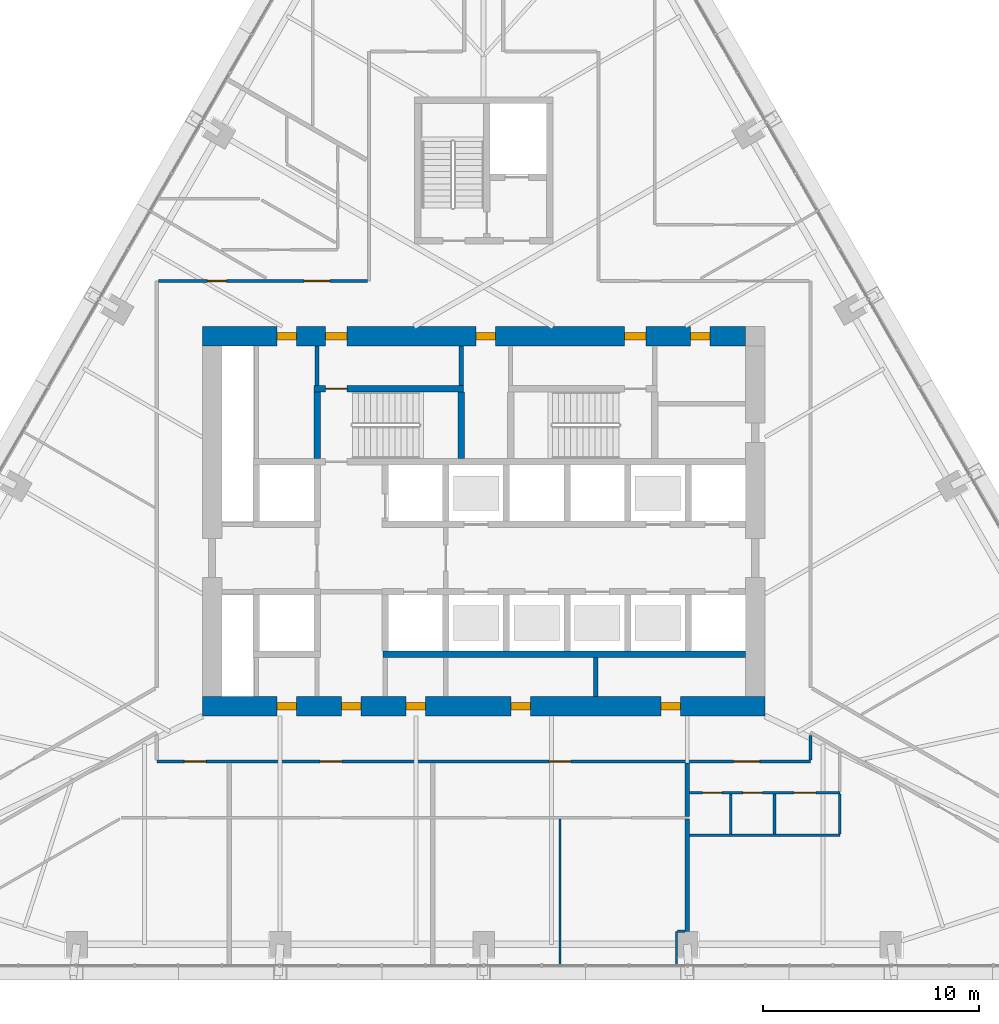
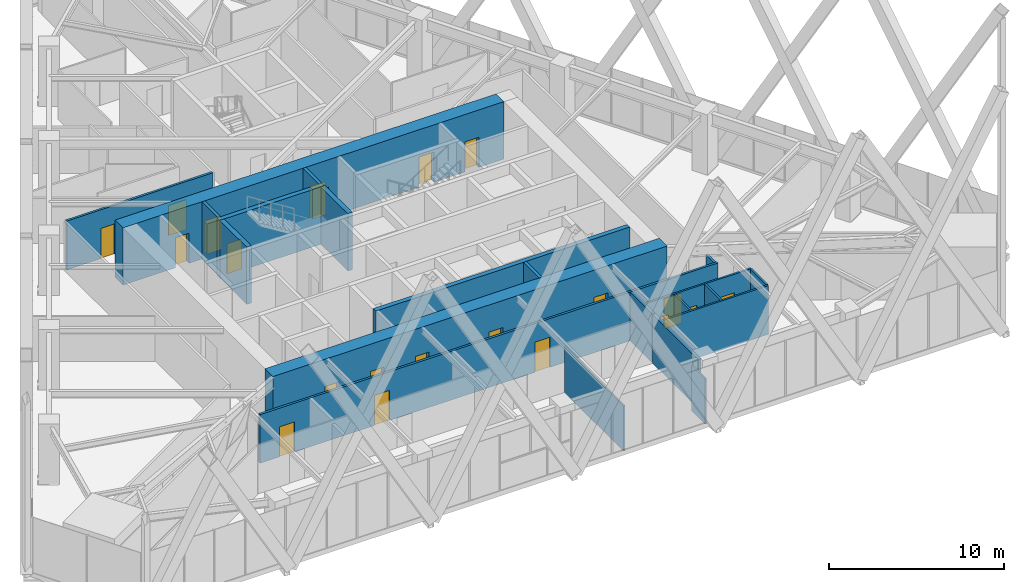
# One storey, part 16 of 21: 22 walls, 20 doors, 20 openings.
"""IFC4 building model written with IfcOpenShell, lengths in metres."""

from ifc_helpers import new_model, si_unit, direction, frame, frame_2d, origin, place, context, subcontext, project, spatial, rectangle, extrude, material, layer, layer_set, type_object, element, fill, save


model = new_model("IFC4")

# Units and contexts
model_context = context("Model", 3, precision=1e-05, world=origin(), true_north=direction((0.0, 1.0)))
body_context = subcontext(model_context, "Body", "Model", "MODEL_VIEW")
ifc_project = project(units=[si_unit("LENGTHUNIT", "METRE"), si_unit("AREAUNIT", "SQUARE_METRE"), si_unit("VOLUMEUNIT", "CUBIC_METRE"), si_unit("PLANEANGLEUNIT", "RADIAN"), si_unit("MASSUNIT", "GRAM", prefix="KILO")], contexts=[model_context])

# Site, building, storey
site_placement = place(None, origin())
site = spatial("IfcSite", under=ifc_project, at=site_placement, CompositionType="ELEMENT")
building_placement = place(site_placement, origin())
building = spatial("IfcBuilding", under=site, at=building_placement, Name="Firuza Gate Tower and Library", CompositionType="ELEMENT")
storey_placement = place(building_placement, frame((0.0, 0.0, 90.39990234375)))
storey = spatial("IfcBuildingStorey", under=building, at=storey_placement, Name="L20", CompositionType="ELEMENT", Elevation=90.39990234375)

# Walls
ifc_material_1 = material(Name="Plasterboard on steel studs", Category="steel")
ifc_layer_1 = layer(ifc_material_1, 0.199951171875)
ifc_layer_set_1 = layer_set([ifc_layer_1], Name="Core partition 200 EI 120")
wall_type_1 = type_object("IfcWallType", Name="Core partition 200 EI 120", PredefinedType="PARTITIONING", material=ifc_layer_set_1)
wall_1_placement = place(storey_placement, frame((80.175048828125, 66.89990234375, 0.0), z_axis=(0.0, 0.0, 1.0), x_axis=(0.0, 1.0, 0.0)))
element("IfcWall", 1, at=wall_1_placement, inside=storey, type_object=wall_type_1, Name="Core partition L20 15", PredefinedType="PARTITIONING", context=body_context, shape_type="SweptSolid", body=[
    extrude(rectangle(XDim=1.800048828125, YDim=0.199951171875, at=frame_2d((0.89990234375, 0.0))), origin(), (0.0, 0.0, 1.0), 4.0),
])
ifc_material_2 = material(Name="Plasterboard on steel studs", Category="steel")
ifc_layer_2 = layer(ifc_material_2, 0.199951171875)
ifc_layer_set_2 = layer_set([ifc_layer_2], Name="Core partition 200 EI 60")
wall_type_2 = type_object("IfcWallType", Name="Core partition 200 EI 60", PredefinedType="PARTITIONING", material=ifc_layer_set_2)
for number, where, z_axis, x_axis, name in (
    (2, (67.300048828125, 81.280029296875, 0.0), (0.0, 0.0, 1.0), (0.0, 1.0, 0.0), "Core partition L20 9"),
    (3, (73.9599609375, 81.280029296875, 0.0), (0.0, 0.0, 1.0), (0.0, 1.0, 0.0), "Core partition L20 13"),
):
    element("IfcWall", number, at=place(storey_placement, frame(where, z_axis=z_axis, x_axis=x_axis)), inside=storey, type_object=wall_type_2, Name=name, PredefinedType="PARTITIONING", context=body_context, shape_type="SweptSolid", body=[
        extrude(rectangle(XDim=1.820068359375, YDim=0.199951171875, at=frame_2d((0.91015625, 0.0))), origin(), (0.0, 0.0, 1.0), 4.0),
    ])
ifc_material_3 = material(Name="Concrete C80/95", Category="concrete")
ifc_layer_3 = layer(ifc_material_3, 0.300048828125)
ifc_layer_set_3 = layer_set([ifc_layer_3], Name="Core wall 300 C80/95")
wall_type_3 = type_object("IfcWallType", Name="Core wall 300 C80/95", PredefinedType="SHEAR", material=ifc_layer_set_3)
wall_2_placement = place(storey_placement, frame((70.35009765625, 68.85009765625, 0.0), z_axis=(0.0, 0.0, 1.0), x_axis=(1.0, 0.0, 0.0)))
element("IfcWall", 4, at=wall_2_placement, inside=storey, type_object=wall_type_3, Name="Core wall L20 6", PredefinedType="SHEAR", context=body_context, shape_type="SweptSolid", body=[
    extrude(rectangle(XDim=16.75, YDim=0.300048828125, at=frame_2d((8.375, 0.0))), origin(), (0.0, 0.0, 1.0), 4.0),
])

# Wall, opening, door
wall_3_placement = place(storey_placement, frame((67.14990234375, 81.1298828125, 0.0), z_axis=(0.0, 0.0, 1.0), x_axis=(1.0, 0.0, 0.0)))
wall_3 = element("IfcWall", 5, at=wall_3_placement, inside=storey, type_object=wall_type_3, Name="Core wall L20 28", PredefinedType="SHEAR", context=body_context, shape_type="SweptSolid", body=[
    extrude(rectangle(XDim=6.91015625, YDim=0.300048828125, at=frame_2d((3.455078125, 0.0))), origin(), (0.0, 0.0, 1.0), 4.0),
])
opening_1_placement = place(wall_3_placement, frame((0.544921875, 0.0, 0.0)))
opening_1 = element("IfcOpeningElement", 6, at=opening_1_placement, cuts=wall_3, Name="Opening L20-K13", PredefinedType="OPENING", context=body_context, shape_type="SweptSolid", body=[
    extrude(rectangle(XDim=1.0, YDim=2.10009765625, at=frame_2d((0.5, 1.050048828125))), frame((0.0, 0.16015625, 0.0), z_axis=(0.0, -1.0, 0.0), x_axis=(1.0, 0.0, 0.0)), (0.0, 0.0, 1.0), 0.320068359375),
])
ifc_material_4 = material(Name="Steel", Category="steel")
door_type_1 = type_object("IfcDoorType", Name="Fire door 1000x2100 FD90", OperationType="NOTDEFINED", PredefinedType="DOOR", material=ifc_material_4)
door_1_placement = place(opening_1_placement, origin())
door_1 = element("IfcDoor", 7, at=door_1_placement, inside=storey, type_object=door_type_1, Name="Door L20-K13", OperationType="SINGLE_SWING_RIGHT", OverallHeight=2.10009765625, OverallWidth=1.0, PredefinedType="DOOR", context=body_context, shape_type="SweptSolid", body=[
    extrude(rectangle(XDim=1.0, YDim=2.10009765625, at=frame_2d((0.5, 1.050048828125))), frame((0.0, 0.02490234375, 0.0), z_axis=(0.0, -1.0, 0.0), x_axis=(1.0, 0.0, 0.0)), (0.0, 0.0, 1.0), 0.050048828125),
])
fill(opening_1, door_1)

# Walls
for number, where, z_axis, x_axis, name in (
    (8, (67.300048828125, 77.89990234375, 0.0), (0.0, 0.0, 1.0), (0.0, 1.0, 0.0), "Core wall L20 30"),
    (9, (73.9599609375, 77.89990234375, 0.0), (0.0, 0.0, 1.0), (0.0, 1.0, 0.0), "Core wall L20 31"),
):
    element("IfcWall", number, at=place(storey_placement, frame(where, z_axis=z_axis, x_axis=x_axis)), inside=storey, type_object=wall_type_3, Name=name, PredefinedType="SHEAR", context=body_context, shape_type="SweptSolid", body=[
        extrude(rectangle(XDim=3.080078125, YDim=0.300048828125, at=frame_2d((1.5400390625, 0.0))), origin(), (0.0, 0.0, 1.0), 4.0),
    ])

# Wall, openings, doors
ifc_material_5 = material(Name="Concrete C80/95", Category="concrete")
ifc_layer_4 = layer(ifc_material_5, 0.89990234375)
ifc_layer_set_4 = layer_set([ifc_layer_4], Name="Core wall 900 C80/95")
wall_type_4 = type_object("IfcWallType", Name="Core wall 900 C80/95", PredefinedType="SHEAR", material=ifc_layer_set_4)
wall_4_placement = place(storey_placement, frame((62.0, 66.449951171875, 0.0), z_axis=(0.0, 0.0, 1.0), x_axis=(1.0, 0.0, 0.0)))
wall_4 = element("IfcWall", 10, at=wall_4_placement, inside=storey, type_object=wall_type_4, Name="Core wall L20 1", PredefinedType="SHEAR", context=body_context, shape_type="SweptSolid", body=[
    extrude(rectangle(XDim=26.0, YDim=0.89990234375, at=frame_2d((13.0, 0.0))), origin(), (0.0, 0.0, 1.0), 4.0),
])
opening_2_placement = place(wall_4_placement, frame((3.449951171875, 0.0, 0.0)))
opening_2 = element("IfcOpeningElement", 11, at=opening_2_placement, cuts=wall_4, Name="Opening L20-K24", PredefinedType="OPENING", context=body_context, shape_type="SweptSolid", body=[
    extrude(rectangle(XDim=0.89990234375, YDim=2.10009765625, at=frame_2d((0.449951171875, 1.050048828125))), frame((0.0, 0.4599609375, 0.0), z_axis=(0.0, -1.0, 0.0), x_axis=(1.0, 0.0, 0.0)), (0.0, 0.0, 1.0), 0.919921875),
])
opening_3_placement = place(wall_4_placement, frame((6.425048828125, 0.0, 0.0)))
opening_3 = element("IfcOpeningElement", 12, at=opening_3_placement, cuts=wall_4, Name="Opening L20-K25", PredefinedType="OPENING", context=body_context, shape_type="SweptSolid", body=[
    extrude(rectangle(XDim=0.89990234375, YDim=2.10009765625, at=frame_2d((0.449951171875, 1.050048828125))), frame((0.0, 0.4599609375, 0.0), z_axis=(0.0, -1.0, 0.0), x_axis=(1.0, 0.0, 0.0)), (0.0, 0.0, 1.0), 0.919921875),
])
opening_4_placement = place(wall_4_placement, frame((9.39990234375, 0.0, 0.0)))
opening_4 = element("IfcOpeningElement", 13, at=opening_4_placement, cuts=wall_4, Name="Opening L20-K26", PredefinedType="OPENING", context=body_context, shape_type="SweptSolid", body=[
    extrude(rectangle(XDim=0.89990234375, YDim=2.10009765625, at=frame_2d((0.449951171875, 1.050048828125))), frame((0.0, 0.4599609375, 0.0), z_axis=(0.0, -1.0, 0.0), x_axis=(1.0, 0.0, 0.0)), (0.0, 0.0, 1.0), 0.919921875),
])
opening_5_placement = place(wall_4_placement, frame((14.262451171875, 0.0, 0.0)))
opening_5 = element("IfcOpeningElement", 14, at=opening_5_placement, cuts=wall_4, Name="Opening L20-K27", PredefinedType="OPENING", context=body_context, shape_type="SweptSolid", body=[
    extrude(rectangle(XDim=0.89990234375, YDim=2.10009765625, at=frame_2d((0.449951171875, 1.050048828125))), frame((0.0, 0.4599609375, 0.0), z_axis=(0.0, -1.0, 0.0), x_axis=(1.0, 0.0, 0.0)), (0.0, 0.0, 1.0), 0.919921875),
])
opening_6_placement = place(wall_4_placement, frame((21.1875, 0.0, 0.0)))
opening_6 = element("IfcOpeningElement", 15, at=opening_6_placement, cuts=wall_4, Name="Opening L20-K28", PredefinedType="OPENING", context=body_context, shape_type="SweptSolid", body=[
    extrude(rectangle(XDim=0.89990234375, YDim=2.10009765625, at=frame_2d((0.449951171875, 1.050048828125))), frame((0.0, 0.4599609375, 0.0), z_axis=(0.0, -1.0, 0.0), x_axis=(1.0, 0.0, 0.0)), (0.0, 0.0, 1.0), 0.919921875),
])
ifc_material_6 = material(Name="Steel", Category="steel")
door_type_2 = type_object("IfcDoorType", Name="Fire door 900x2100 FD30S", OperationType="NOTDEFINED", PredefinedType="DOOR", material=ifc_material_6)
door_2_placement = place(opening_2_placement, origin())
door_2 = element("IfcDoor", 16, at=door_2_placement, inside=storey, type_object=door_type_2, Name="Door L20-K24", OperationType="SINGLE_SWING_LEFT", OverallHeight=2.10009765625, OverallWidth=0.89990234375, PredefinedType="DOOR", context=body_context, shape_type="SweptSolid", body=[
    extrude(rectangle(XDim=0.89990234375, YDim=2.10009765625, at=frame_2d((0.449951171875, 1.050048828125))), frame((0.0, 0.169921875, 0.0), z_axis=(0.0, -1.0, 0.0), x_axis=(1.0, 0.0, 0.0)), (0.0, 0.0, 1.0), 0.33984375),
])
fill(opening_2, door_2)
door_3_placement = place(opening_3_placement, origin())
door_3 = element("IfcDoor", 17, at=door_3_placement, inside=storey, type_object=door_type_2, Name="Door L20-K25", OperationType="SINGLE_SWING_RIGHT", OverallHeight=2.10009765625, OverallWidth=0.89990234375, PredefinedType="DOOR", context=body_context, shape_type="SweptSolid", body=[
    extrude(rectangle(XDim=0.89990234375, YDim=2.10009765625, at=frame_2d((0.449951171875, 1.050048828125))), frame((0.0, 0.169921875, 0.0), z_axis=(0.0, -1.0, 0.0), x_axis=(1.0, 0.0, 0.0)), (0.0, 0.0, 1.0), 0.33984375),
])
fill(opening_3, door_3)
door_4_placement = place(opening_4_placement, origin())
door_4 = element("IfcDoor", 18, at=door_4_placement, inside=storey, type_object=door_type_2, Name="Door L20-K26", OperationType="SINGLE_SWING_LEFT", OverallHeight=2.10009765625, OverallWidth=0.89990234375, PredefinedType="DOOR", context=body_context, shape_type="SweptSolid", body=[
    extrude(rectangle(XDim=0.89990234375, YDim=2.10009765625, at=frame_2d((0.449951171875, 1.050048828125))), frame((0.0, 0.169921875, 0.0), z_axis=(0.0, -1.0, 0.0), x_axis=(1.0, 0.0, 0.0)), (0.0, 0.0, 1.0), 0.33984375),
])
fill(opening_4, door_4)
door_5_placement = place(opening_5_placement, origin())
door_5 = element("IfcDoor", 19, at=door_5_placement, inside=storey, type_object=door_type_2, Name="Door L20-K27", OperationType="SINGLE_SWING_RIGHT", OverallHeight=2.10009765625, OverallWidth=0.89990234375, PredefinedType="DOOR", context=body_context, shape_type="SweptSolid", body=[
    extrude(rectangle(XDim=0.89990234375, YDim=2.10009765625, at=frame_2d((0.449951171875, 1.050048828125))), frame((0.0, 0.169921875, 0.0), z_axis=(0.0, -1.0, 0.0), x_axis=(1.0, 0.0, 0.0)), (0.0, 0.0, 1.0), 0.33984375),
])
fill(opening_5, door_5)
door_6_placement = place(opening_6_placement, origin())
door_6 = element("IfcDoor", 20, at=door_6_placement, inside=storey, type_object=door_type_2, Name="Door L20-K28", OperationType="SINGLE_SWING_LEFT", OverallHeight=2.10009765625, OverallWidth=0.89990234375, PredefinedType="DOOR", context=body_context, shape_type="SweptSolid", body=[
    extrude(rectangle(XDim=0.89990234375, YDim=2.10009765625, at=frame_2d((0.449951171875, 1.050048828125))), frame((0.0, 0.169921875, 0.0), z_axis=(0.0, -1.0, 0.0), x_axis=(1.0, 0.0, 0.0)), (0.0, 0.0, 1.0), 0.33984375),
])
fill(opening_6, door_6)

wall_5_placement = place(storey_placement, frame((62.0, 83.550048828125, 0.0), z_axis=(0.0, 0.0, 1.0), x_axis=(1.0, 0.0, 0.0)))
wall_5 = element("IfcWall", 21, at=wall_5_placement, inside=storey, type_object=wall_type_4, Name="Core wall L20 2", PredefinedType="SHEAR", context=body_context, shape_type="SweptSolid", body=[
    extrude(rectangle(XDim=25.10009765625, YDim=0.89990234375, at=frame_2d((12.550048828125, 0.0))), origin(), (0.0, 0.0, 1.0), 4.0),
])
opening_7_placement = place(wall_5_placement, frame((5.695068359375, 0.0, 0.0)))
opening_7 = element("IfcOpeningElement", 22, at=opening_7_placement, cuts=wall_5, Name="Opening L20-K14", PredefinedType="OPENING", context=body_context, shape_type="SweptSolid", body=[
    extrude(rectangle(XDim=1.0, YDim=2.10009765625, at=frame_2d((0.5, 1.050048828125))), frame((0.0, 0.4599609375, 0.0), z_axis=(0.0, -1.0, 0.0), x_axis=(1.0, 0.0, 0.0)), (0.0, 0.0, 1.0), 0.919921875),
])
opening_8_placement = place(wall_5_placement, frame((19.5048828125, 0.0, 0.0)))
opening_8 = element("IfcOpeningElement", 23, at=opening_8_placement, cuts=wall_5, Name="Opening L20-K16", PredefinedType="OPENING", context=body_context, shape_type="SweptSolid", body=[
    extrude(rectangle(XDim=1.0, YDim=2.10009765625, at=frame_2d((0.5, 1.050048828125))), frame((0.0, 0.4599609375, 0.0), z_axis=(0.0, -1.0, 0.0), x_axis=(1.0, 0.0, 0.0)), (0.0, 0.0, 1.0), 0.919921875),
])
opening_9_placement = place(wall_5_placement, frame((3.449951171875, 0.0, 0.0)))
opening_9 = element("IfcOpeningElement", 24, at=opening_9_placement, cuts=wall_5, Name="Opening L20-K29", PredefinedType="OPENING", context=body_context, shape_type="SweptSolid", body=[
    extrude(rectangle(XDim=0.89990234375, YDim=2.10009765625, at=frame_2d((0.449951171875, 1.050048828125))), frame((0.0, 0.4599609375, 0.0), z_axis=(0.0, -1.0, 0.0), x_axis=(1.0, 0.0, 0.0)), (0.0, 0.0, 1.0), 0.919921875),
])
opening_10_placement = place(wall_5_placement, frame((12.64990234375, 0.0, 0.0)))
opening_10 = element("IfcOpeningElement", 25, at=opening_10_placement, cuts=wall_5, Name="Opening L20-K30", PredefinedType="OPENING", context=body_context, shape_type="SweptSolid", body=[
    extrude(rectangle(XDim=0.89990234375, YDim=2.10009765625, at=frame_2d((0.449951171875, 1.050048828125))), frame((0.0, 0.4599609375, 0.0), z_axis=(0.0, -1.0, 0.0), x_axis=(1.0, 0.0, 0.0)), (0.0, 0.0, 1.0), 0.919921875),
])
opening_11_placement = place(wall_5_placement, frame((22.550048828125, 0.0, 0.0)))
opening_11 = element("IfcOpeningElement", 26, at=opening_11_placement, cuts=wall_5, Name="Opening L20-K32", PredefinedType="OPENING", context=body_context, shape_type="SweptSolid", body=[
    extrude(rectangle(XDim=0.89990234375, YDim=2.10009765625, at=frame_2d((0.449951171875, 1.050048828125))), frame((0.0, 0.4599609375, 0.0), z_axis=(0.0, -1.0, 0.0), x_axis=(1.0, 0.0, 0.0)), (0.0, 0.0, 1.0), 0.919921875),
])
door_7_placement = place(opening_7_placement, origin())
door_7 = element("IfcDoor", 27, at=door_7_placement, inside=storey, type_object=door_type_1, Name="Door L20-K14", OperationType="SINGLE_SWING_LEFT", OverallHeight=2.10009765625, OverallWidth=1.0, PredefinedType="DOOR", context=body_context, shape_type="SweptSolid", body=[
    extrude(rectangle(XDim=1.0, YDim=2.10009765625, at=frame_2d((0.5, 1.050048828125))), frame((0.0, 0.169921875, 0.0), z_axis=(0.0, -1.0, 0.0), x_axis=(1.0, 0.0, 0.0)), (0.0, 0.0, 1.0), 0.33984375),
])
fill(opening_7, door_7)
door_8_placement = place(opening_8_placement, origin())
door_8 = element("IfcDoor", 28, at=door_8_placement, inside=storey, type_object=door_type_1, Name="Door L20-K16", OperationType="SINGLE_SWING_LEFT", OverallHeight=2.10009765625, OverallWidth=1.0, PredefinedType="DOOR", context=body_context, shape_type="SweptSolid", body=[
    extrude(rectangle(XDim=1.0, YDim=2.10009765625, at=frame_2d((0.5, 1.050048828125))), frame((0.0, 0.169921875, 0.0), z_axis=(0.0, -1.0, 0.0), x_axis=(1.0, 0.0, 0.0)), (0.0, 0.0, 1.0), 0.33984375),
])
fill(opening_8, door_8)
door_9_placement = place(opening_9_placement, origin())
door_9 = element("IfcDoor", 29, at=door_9_placement, inside=storey, type_object=door_type_2, Name="Door L20-K29", OperationType="SINGLE_SWING_RIGHT", OverallHeight=2.10009765625, OverallWidth=0.89990234375, PredefinedType="DOOR", context=body_context, shape_type="SweptSolid", body=[
    extrude(rectangle(XDim=0.89990234375, YDim=2.10009765625, at=frame_2d((0.449951171875, 1.050048828125))), frame((0.0, 0.169921875, 0.0), z_axis=(0.0, -1.0, 0.0), x_axis=(1.0, 0.0, 0.0)), (0.0, 0.0, 1.0), 0.33984375),
])
fill(opening_9, door_9)
door_10_placement = place(opening_10_placement, origin())
door_10 = element("IfcDoor", 30, at=door_10_placement, inside=storey, type_object=door_type_2, Name="Door L20-K30", OperationType="SINGLE_SWING_LEFT", OverallHeight=2.10009765625, OverallWidth=0.89990234375, PredefinedType="DOOR", context=body_context, shape_type="SweptSolid", body=[
    extrude(rectangle(XDim=0.89990234375, YDim=2.10009765625, at=frame_2d((0.449951171875, 1.050048828125))), frame((0.0, 0.169921875, 0.0), z_axis=(0.0, -1.0, 0.0), x_axis=(1.0, 0.0, 0.0)), (0.0, 0.0, 1.0), 0.33984375),
])
fill(opening_10, door_10)
door_11_placement = place(opening_11_placement, origin())
door_11 = element("IfcDoor", 31, at=door_11_placement, inside=storey, type_object=door_type_2, Name="Door L20-K32", OperationType="SINGLE_SWING_LEFT", OverallHeight=2.10009765625, OverallWidth=0.89990234375, PredefinedType="DOOR", context=body_context, shape_type="SweptSolid", body=[
    extrude(rectangle(XDim=0.89990234375, YDim=2.10009765625, at=frame_2d((0.449951171875, 1.050048828125))), frame((0.0, 0.169921875, 0.0), z_axis=(0.0, -1.0, 0.0), x_axis=(1.0, 0.0, 0.0)), (0.0, 0.0, 1.0), 0.33984375),
])
fill(opening_11, door_11)

ifc_material_7 = material(Name="Gypsum board partition")
ifc_layer_5 = layer(ifc_material_7, 0.14990234375)
ifc_layer_set_5 = layer_set([ifc_layer_5], Name="Corridor wall 150 double board on steel studs")
wall_type_5 = type_object("IfcWallType", Name="Corridor wall 150 double board on steel studs", PredefinedType="PARTITIONING", material=ifc_layer_set_5)
wall_6_placement = place(storey_placement, frame((90.10009765625, 63.89990234375, 0.0), z_axis=(0.0, 0.0, 1.0), x_axis=(-1.0, 0.0, 0.0)))
wall_6 = element("IfcWall", 32, at=wall_6_placement, inside=storey, type_object=wall_type_5, Name="f:L20:w004", PredefinedType="PARTITIONING", context=body_context, shape_type="SweptSolid", body=[
    extrude(rectangle(XDim=30.19970703125, YDim=0.14990234375, at=frame_2d((15.099853515625, 0.0))), origin(), (0.0, 0.0, 1.0), 3.400146484375),
])
opening_12_placement = place(wall_6_placement, frame((2.349853515625, 0.0, 0.0)))
opening_12 = element("IfcOpeningElement", 33, at=opening_12_placement, cuts=wall_6, Name="Opening L20-08", PredefinedType="OPENING", context=body_context, shape_type="SweptSolid", body=[
    extrude(rectangle(XDim=1.199951171875, YDim=2.10009765625, at=frame_2d((0.60009765625, 1.050048828125))), frame((0.0, 0.0849609375, 0.0), z_axis=(0.0, -1.0, 0.0), x_axis=(1.0, 0.0, 0.0)), (0.0, 0.0, 1.0), 0.169921875),
])
opening_13_placement = place(wall_6_placement, frame((11.07373046875, 0.0, 0.0)))
opening_13 = element("IfcOpeningElement", 34, at=opening_13_placement, cuts=wall_6, Name="Opening L20-09", PredefinedType="OPENING", context=body_context, shape_type="SweptSolid", body=[
    extrude(rectangle(XDim=1.0, YDim=2.10009765625, at=frame_2d((0.5, 1.050048828125))), frame((0.0, 0.0849609375, 0.0), z_axis=(0.0, -1.0, 0.0), x_axis=(1.0, 0.0, 0.0)), (0.0, 0.0, 1.0), 0.169921875),
])
opening_14_placement = place(wall_6_placement, frame((21.652587890625, 0.0, 0.0)))
opening_14 = element("IfcOpeningElement", 35, at=opening_14_placement, cuts=wall_6, Name="Opening L20-10", PredefinedType="OPENING", context=body_context, shape_type="SweptSolid", body=[
    extrude(rectangle(XDim=1.0, YDim=2.10009765625, at=frame_2d((0.5, 1.050048828125))), frame((0.0, 0.0849609375, 0.0), z_axis=(0.0, -1.0, 0.0), x_axis=(1.0, 0.0, 0.0)), (0.0, 0.0, 1.0), 0.169921875),
])
opening_15_placement = place(wall_6_placement, frame((27.92529296875, 0.0, 0.0)))
opening_15 = element("IfcOpeningElement", 36, at=opening_15_placement, cuts=wall_6, Name="Opening L20-11", PredefinedType="OPENING", context=body_context, shape_type="SweptSolid", body=[
    extrude(rectangle(XDim=1.0, YDim=2.10009765625, at=frame_2d((0.5, 1.050048828125))), frame((0.0, 0.0849609375, 0.0), z_axis=(0.0, -1.0, 0.0), x_axis=(1.0, 0.0, 0.0)), (0.0, 0.0, 1.0), 0.169921875),
])
ifc_material_8 = material(Name="Steel door and timber leaf", Category="steel")
door_type_3 = type_object("IfcDoorType", Name="Fire door 1000 x 2100 steel frame, timber leaf", OperationType="NOTDEFINED", PredefinedType="DOOR", material=ifc_material_8)
door_12_placement = place(opening_13_placement, origin())
door_12 = element("IfcDoor", 37, at=door_12_placement, inside=storey, type_object=door_type_3, Name="f:L20:d009", OperationType="SINGLE_SWING_RIGHT", OverallHeight=2.10009765625, OverallWidth=1.0, PredefinedType="DOOR", context=body_context, shape_type="SweptSolid", body=[
    extrude(rectangle(XDim=1.0, YDim=2.10009765625, at=frame_2d((0.5, 1.050048828125))), frame((0.0, 0.02490234375, 0.0), z_axis=(0.0, -1.0, 0.0), x_axis=(1.0, 0.0, 0.0)), (0.0, 0.0, 1.0), 0.050048828125),
])
fill(opening_13, door_12)
door_13_placement = place(opening_14_placement, origin())
door_13 = element("IfcDoor", 38, at=door_13_placement, inside=storey, type_object=door_type_3, Name="f:L20:d010", OperationType="SINGLE_SWING_LEFT", OverallHeight=2.10009765625, OverallWidth=1.0, PredefinedType="DOOR", context=body_context, shape_type="SweptSolid", body=[
    extrude(rectangle(XDim=1.0, YDim=2.10009765625, at=frame_2d((0.5, 1.050048828125))), frame((0.0, 0.02490234375, 0.0), z_axis=(0.0, -1.0, 0.0), x_axis=(1.0, 0.0, 0.0)), (0.0, 0.0, 1.0), 0.050048828125),
])
fill(opening_14, door_13)
door_14_placement = place(opening_15_placement, origin())
door_14 = element("IfcDoor", 39, at=door_14_placement, inside=storey, type_object=door_type_3, Name="f:L20:d011", OperationType="SINGLE_SWING_LEFT", OverallHeight=2.10009765625, OverallWidth=1.0, PredefinedType="DOOR", context=body_context, shape_type="SweptSolid", body=[
    extrude(rectangle(XDim=1.0, YDim=2.10009765625, at=frame_2d((0.5, 1.050048828125))), frame((0.0, 0.02490234375, 0.0), z_axis=(0.0, -1.0, 0.0), x_axis=(1.0, 0.0, 0.0)), (0.0, 0.0, 1.0), 0.050048828125),
])
fill(opening_15, door_14)
ifc_material_9 = material(Name="Steel door and timber leaf", Category="steel")
door_type_4 = type_object("IfcDoorType", Name="Fire door 1200 x 2100 steel frame, double leaf", OperationType="NOTDEFINED", PredefinedType="DOOR", material=ifc_material_9)
door_15_placement = place(opening_12_placement, origin())
door_15 = element("IfcDoor", 40, at=door_15_placement, inside=storey, type_object=door_type_4, Name="f:L20:d008", OperationType="DOUBLE_DOOR_SINGLE_SWING", OverallHeight=2.10009765625, OverallWidth=1.199951171875, PredefinedType="DOOR", context=body_context, shape_type="SweptSolid", body=[
    extrude(rectangle(XDim=1.199951171875, YDim=2.10009765625, at=frame_2d((0.60009765625, 1.050048828125))), frame((0.0, 0.02490234375, 0.0), z_axis=(0.0, -1.0, 0.0), x_axis=(1.0, 0.0, 0.0)), (0.0, 0.0, 1.0), 0.050048828125),
])
fill(opening_12, door_15)

wall_7_placement = place(storey_placement, frame((59.9755859375, 86.10009765625, 0.0), z_axis=(0.0, 0.0, 1.0), x_axis=(1.0, 0.0, 0.0)))
wall_7 = element("IfcWall", 41, at=wall_7_placement, inside=storey, type_object=wall_type_5, Name="f:L20:w005", PredefinedType="PARTITIONING", context=body_context, shape_type="SweptSolid", body=[
    extrude(rectangle(XDim=9.6494140625, YDim=0.14990234375, at=frame_2d((4.82470703125, 0.0))), origin(), (0.0, 0.0, 1.0), 3.400146484375),
])
opening_16_placement = place(wall_7_placement, frame((2.25244140625, 0.0, 0.0)))
opening_16 = element("IfcOpeningElement", 42, at=opening_16_placement, cuts=wall_7, Name="Opening L20-12", PredefinedType="OPENING", context=body_context, shape_type="SweptSolid", body=[
    extrude(rectangle(XDim=0.89990234375, YDim=2.10009765625, at=frame_2d((0.449951171875, 1.050048828125))), frame((0.0, 0.0849609375, 0.0), z_axis=(0.0, -1.0, 0.0), x_axis=(1.0, 0.0, 0.0)), (0.0, 0.0, 1.0), 0.169921875),
])
opening_17_placement = place(wall_7_placement, frame((6.722900390625, 0.0, 0.0)))
opening_17 = element("IfcOpeningElement", 43, at=opening_17_placement, cuts=wall_7, Name="Opening L20-13", PredefinedType="OPENING", context=body_context, shape_type="SweptSolid", body=[
    extrude(rectangle(XDim=1.199951171875, YDim=2.10009765625, at=frame_2d((0.60009765625, 1.050048828125))), frame((0.0, 0.0849609375, 0.0), z_axis=(0.0, -1.0, 0.0), x_axis=(1.0, 0.0, 0.0)), (0.0, 0.0, 1.0), 0.169921875),
])
door_16_placement = place(opening_17_placement, origin())
door_16 = element("IfcDoor", 44, at=door_16_placement, inside=storey, type_object=door_type_4, Name="f:L20:d013", OperationType="DOUBLE_DOOR_SINGLE_SWING", OverallHeight=2.10009765625, OverallWidth=1.199951171875, PredefinedType="DOOR", context=body_context, shape_type="SweptSolid", body=[
    extrude(rectangle(XDim=1.199951171875, YDim=2.10009765625, at=frame_2d((0.60009765625, 1.050048828125))), frame((0.0, 0.02490234375, 0.0), z_axis=(0.0, -1.0, 0.0), x_axis=(1.0, 0.0, 0.0)), (0.0, 0.0, 1.0), 0.050048828125),
])
fill(opening_17, door_16)
ifc_material_10 = material(Name="Steel door and timber leaf", Category="steel")
door_type_5 = type_object("IfcDoorType", Name="Fire door 900 x 2100 steel frame, timber leaf", OperationType="NOTDEFINED", PredefinedType="DOOR", material=ifc_material_10)
door_17_placement = place(opening_16_placement, origin())
door_17 = element("IfcDoor", 45, at=door_17_placement, inside=storey, type_object=door_type_5, Name="f:L20:d012", OperationType="SINGLE_SWING_LEFT", OverallHeight=2.10009765625, OverallWidth=0.89990234375, PredefinedType="DOOR", context=body_context, shape_type="SweptSolid", body=[
    extrude(rectangle(XDim=0.89990234375, YDim=2.10009765625, at=frame_2d((0.449951171875, 1.050048828125))), frame((0.0, 0.02490234375, 0.0), z_axis=(0.0, -1.0, 0.0), x_axis=(1.0, 0.0, 0.0)), (0.0, 0.0, 1.0), 0.050048828125),
])
fill(opening_16, door_17)

# Walls
wall_8_placement = place(storey_placement, frame((90.10009765625, 63.97509765625, 0.0), z_axis=(0.0, 0.0, 1.0), x_axis=(0.0, 1.0, 0.0)))
element("IfcWall", 46, at=wall_8_placement, inside=storey, type_object=wall_type_5, Name="f:L20:w026", PredefinedType="PARTITIONING", context=body_context, shape_type="SweptSolid", body=[
    extrude(rectangle(XDim=1.131103515625, YDim=0.14990234375, at=frame_2d((0.5654296875, 0.0))), origin(), (0.0, 0.0, 1.0), 3.2470703125),
])
ifc_material_11 = material(Name="Gypsum board partition")
ifc_layer_6 = layer(ifc_material_11, 0.199951171875)
ifc_layer_set_6 = layer_set([ifc_layer_6], Name="Demising wall 200 acoustic double stud")
wall_type_6 = type_object("IfcWallType", Name="Demising wall 200 acoustic double stud", PredefinedType="PARTITIONING", material=ifc_layer_set_6)
wall_9_placement = place(storey_placement, frame((84.403076171875, 56.056396484375, 0.0), z_axis=(0.0, 0.0, 1.0), x_axis=(0.0, 1.0, 0.0)))
element("IfcWall", 47, at=wall_9_placement, inside=storey, type_object=wall_type_6, Name="f:L20:w030", PredefinedType="PARTITIONING", context=body_context, shape_type="SweptSolid", body=[
    extrude(rectangle(XDim=5.193603515625, YDim=0.199951171875, at=frame_2d((2.5966796875, 0.0))), origin(), (0.0, 0.0, 1.0), 3.400146484375),
])
wall_10_placement = place(storey_placement, frame((84.403076171875, 61.35009765625, 0.0), z_axis=(0.0, 0.0, 1.0), x_axis=(0.0, 1.0, 0.0)))
element("IfcWall", 48, at=wall_10_placement, inside=storey, type_object=wall_type_6, Name="f:L20:w058", PredefinedType="PARTITIONING", context=body_context, shape_type="SweptSolid", body=[
    extrude(rectangle(XDim=2.474853515625, YDim=0.199951171875, at=frame_2d((1.2373046875, 0.0))), origin(), (0.0, 0.0, 1.0), 3.400146484375),
])
ifc_material_12 = material(Name="Gypsum board partition")
ifc_layer_7 = layer(ifc_material_12, 0.10009765625)
ifc_layer_set_7 = layer_set([ifc_layer_7], Name="Partition 100 gypsum board on steel studs")
wall_type_7 = type_object("IfcWallType", Name="Partition 100 gypsum board on steel studs", PredefinedType="PARTITIONING", material=ifc_layer_set_7)
wall_11_placement = place(storey_placement, frame((83.953857421875, 56.055908203125, 0.0), z_axis=(0.0, 0.0, 1.0), x_axis=(1.0, 0.0, 0.0)))
element("IfcWall", 49, at=wall_11_placement, inside=storey, type_object=wall_type_7, Name="f:L20:w000", PredefinedType="PARTITIONING", context=body_context, shape_type="SweptSolid", body=[
    extrude(rectangle(XDim=0.348876953125, YDim=0.10009765625, at=frame_2d((0.17431640625, 0.0))), origin(), (0.0, 0.0, 1.0), 3.400146484375),
])
wall_12_placement = place(storey_placement, frame((83.903076171875, 54.495849609375, 0.0), z_axis=(0.0, 0.0, 1.0), x_axis=(0.0, 1.0, 0.0)))
element("IfcWall", 50, at=wall_12_placement, inside=storey, type_object=wall_type_7, Name="f:L20:w031", PredefinedType="PARTITIONING", context=body_context, shape_type="SweptSolid", body=[
    extrude(rectangle(XDim=1.5595703125, YDim=0.10009765625, at=frame_2d((0.77978515625, 0.0))), origin(), (0.0, 0.0, 1.0), 3.1650390625),
])
wall_13_placement = place(storey_placement, frame((78.52587890625, 54.495849609375, 0.0), z_axis=(0.0, 0.0, 1.0), x_axis=(0.0, 1.0, 0.0)))
element("IfcWall", 51, at=wall_13_placement, inside=storey, type_object=wall_type_7, Name="f:L20:w034", PredefinedType="PARTITIONING", context=body_context, shape_type="SweptSolid", body=[
    extrude(rectangle(XDim=6.754150390625, YDim=0.10009765625, at=frame_2d((3.376953125, 0.0))), origin(), (0.0, 0.0, 1.0), 3.1650390625),
])
ifc_material_13 = material(Name="Gypsum board partition")
ifc_layer_8 = layer(ifc_material_13, 0.1201171875)
ifc_layer_set_8 = layer_set([ifc_layer_8], Name="Wet-area partition 120 moisture-resistant board")
wall_type_8 = type_object("IfcWallType", Name="Wet-area partition 120 moisture-resistant board", PredefinedType="PARTITIONING", material=ifc_layer_set_8)
wall_14_placement = place(storey_placement, frame((84.50390625, 60.5, 0.0), z_axis=(0.0, 0.0, 1.0), x_axis=(1.0, 0.0, 0.0)))
element("IfcWall", 52, at=wall_14_placement, inside=storey, type_object=wall_type_8, Name="f:L20:w001", PredefinedType="PARTITIONING", context=body_context, shape_type="SweptSolid", body=[
    extrude(rectangle(XDim=6.951416015625, YDim=0.1201171875, at=frame_2d((3.4755859375, 0.0))), origin(), (0.0, 0.0, 1.0), 3.400146484375),
])

# Wall, openings, doors
wall_15_placement = place(storey_placement, frame((84.50341796875, 62.449951171875, 0.0), z_axis=(0.0, 0.0, 1.0), x_axis=(1.0, 0.0, 0.0)))
wall_15 = element("IfcWall", 53, at=wall_15_placement, inside=storey, type_object=wall_type_8, Name="f:L20:w003", PredefinedType="PARTITIONING", context=body_context, shape_type="SweptSolid", body=[
    extrude(rectangle(XDim=6.952392578125, YDim=0.1201171875, at=frame_2d((3.47607421875, 0.0))), origin(), (0.0, 0.0, 1.0), 3.400146484375),
])
opening_18_placement = place(wall_15_placement, frame((0.60888671875, 0.0, 0.0)))
opening_18 = element("IfcOpeningElement", 54, at=opening_18_placement, cuts=wall_15, Name="Opening L20-05", PredefinedType="OPENING", context=body_context, shape_type="SweptSolid", body=[
    extrude(rectangle(XDim=0.89990234375, YDim=2.10009765625, at=frame_2d((0.449951171875, 1.050048828125))), frame((0.0, 0.070068359375, 0.0), z_axis=(0.0, -1.0, 0.0), x_axis=(1.0, 0.0, 0.0)), (0.0, 0.0, 1.0), 0.14013671875),
])
opening_19_placement = place(wall_15_placement, frame((2.472412109375, 0.0, 0.0)))
opening_19 = element("IfcOpeningElement", 55, at=opening_19_placement, cuts=wall_15, Name="Opening L20-06", PredefinedType="OPENING", context=body_context, shape_type="SweptSolid", body=[
    extrude(rectangle(XDim=0.89990234375, YDim=2.10009765625, at=frame_2d((0.449951171875, 1.050048828125))), frame((0.0, 0.070068359375, 0.0), z_axis=(0.0, -1.0, 0.0), x_axis=(1.0, 0.0, 0.0)), (0.0, 0.0, 1.0), 0.14013671875),
])
opening_20_placement = place(wall_15_placement, frame((4.83984375, 0.0, 0.0)))
opening_20 = element("IfcOpeningElement", 56, at=opening_20_placement, cuts=wall_15, Name="Opening L20-07", PredefinedType="OPENING", context=body_context, shape_type="SweptSolid", body=[
    extrude(rectangle(XDim=1.0, YDim=2.10009765625, at=frame_2d((0.5, 1.050048828125))), frame((0.0, 0.070068359375, 0.0), z_axis=(0.0, -1.0, 0.0), x_axis=(1.0, 0.0, 0.0)), (0.0, 0.0, 1.0), 0.14013671875),
])
ifc_material_14 = material(Name="Timber door", Category="wood")
door_type_6 = type_object("IfcDoorType", Name="Door 1000 x 2100 timber leaf", OperationType="NOTDEFINED", PredefinedType="DOOR", material=ifc_material_14)
door_18_placement = place(opening_20_placement, origin())
door_18 = element("IfcDoor", 57, at=door_18_placement, inside=storey, type_object=door_type_6, Name="f:L20:d007", OperationType="SINGLE_SWING_LEFT", OverallHeight=2.10009765625, OverallWidth=1.0, PredefinedType="DOOR", context=body_context, shape_type="SweptSolid", body=[
    extrude(rectangle(XDim=1.0, YDim=2.10009765625, at=frame_2d((0.5, 1.050048828125))), frame((0.0, 0.02490234375, 0.0), z_axis=(0.0, -1.0, 0.0), x_axis=(1.0, 0.0, 0.0)), (0.0, 0.0, 1.0), 0.050048828125),
])
fill(opening_20, door_18)
ifc_material_15 = material(Name="Timber door", Category="wood")
door_type_7 = type_object("IfcDoorType", Name="Door 900 x 2100 timber leaf", OperationType="NOTDEFINED", PredefinedType="DOOR", material=ifc_material_15)
door_19_placement = place(opening_18_placement, origin())
door_19 = element("IfcDoor", 58, at=door_19_placement, inside=storey, type_object=door_type_7, Name="f:L20:d005", OperationType="SINGLE_SWING_LEFT", OverallHeight=2.10009765625, OverallWidth=0.89990234375, PredefinedType="DOOR", context=body_context, shape_type="SweptSolid", body=[
    extrude(rectangle(XDim=0.89990234375, YDim=2.10009765625, at=frame_2d((0.449951171875, 1.050048828125))), frame((0.0, 0.02490234375, 0.0), z_axis=(0.0, -1.0, 0.0), x_axis=(1.0, 0.0, 0.0)), (0.0, 0.0, 1.0), 0.050048828125),
])
fill(opening_18, door_19)
door_20_placement = place(opening_19_placement, origin())
door_20 = element("IfcDoor", 59, at=door_20_placement, inside=storey, type_object=door_type_7, Name="f:L20:d006", OperationType="SINGLE_SWING_RIGHT", OverallHeight=2.10009765625, OverallWidth=0.89990234375, PredefinedType="DOOR", context=body_context, shape_type="SweptSolid", body=[
    extrude(rectangle(XDim=0.89990234375, YDim=2.10009765625, at=frame_2d((0.449951171875, 1.050048828125))), frame((0.0, 0.02490234375, 0.0), z_axis=(0.0, -1.0, 0.0), x_axis=(1.0, 0.0, 0.0)), (0.0, 0.0, 1.0), 0.050048828125),
])
fill(opening_19, door_20)

# Walls
wall_16_placement = place(storey_placement, frame((91.4560546875, 60.560546875, 0.0), z_axis=(0.0, 0.0, 1.0), x_axis=(0.0, 1.0, 0.0)))
element("IfcWall", 60, at=wall_16_placement, inside=storey, type_object=wall_type_8, Name="f:L20:w025", PredefinedType="PARTITIONING", context=body_context, shape_type="SweptSolid", body=[
    extrude(rectangle(XDim=1.829345703125, YDim=0.1201171875, at=frame_2d((0.91455078125, 0.0))), origin(), (0.0, 0.0, 1.0), 3.400146484375),
])
for number, where, z_axis, x_axis, name in (
    (61, (88.43310546875, 60.56005859375, 0.0), (0.0, 0.0, 1.0), (0.0, 1.0, 0.0), "f:L20:w028"),
    (62, (86.41796875, 60.56005859375, 0.0), (0.0, 0.0, 1.0), (0.0, 1.0, 0.0), "f:L20:w029"),
):
    element("IfcWall", number, at=place(storey_placement, frame(where, z_axis=z_axis, x_axis=x_axis)), inside=storey, type_object=wall_type_8, Name=name, PredefinedType="PARTITIONING", context=body_context, shape_type="SweptSolid", body=[
        extrude(rectangle(XDim=1.829833984375, YDim=0.1201171875, at=frame_2d((0.9150390625, 0.0))), origin(), (0.0, 0.0, 1.0), 3.400146484375),
    ])

save(model, "model.ifc")
